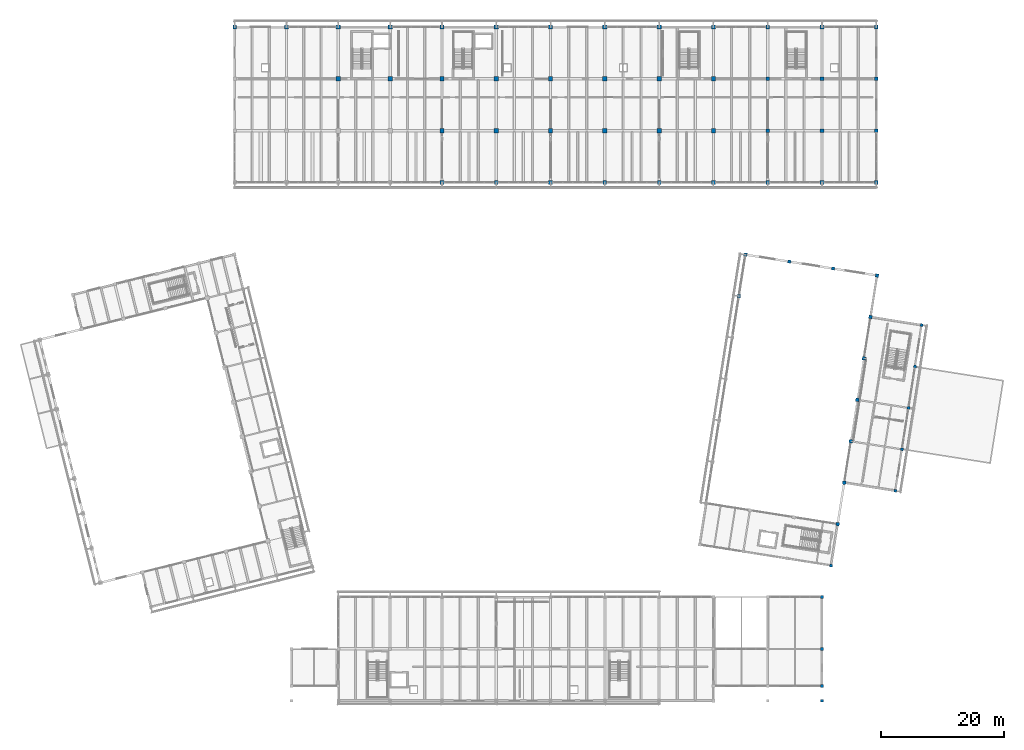
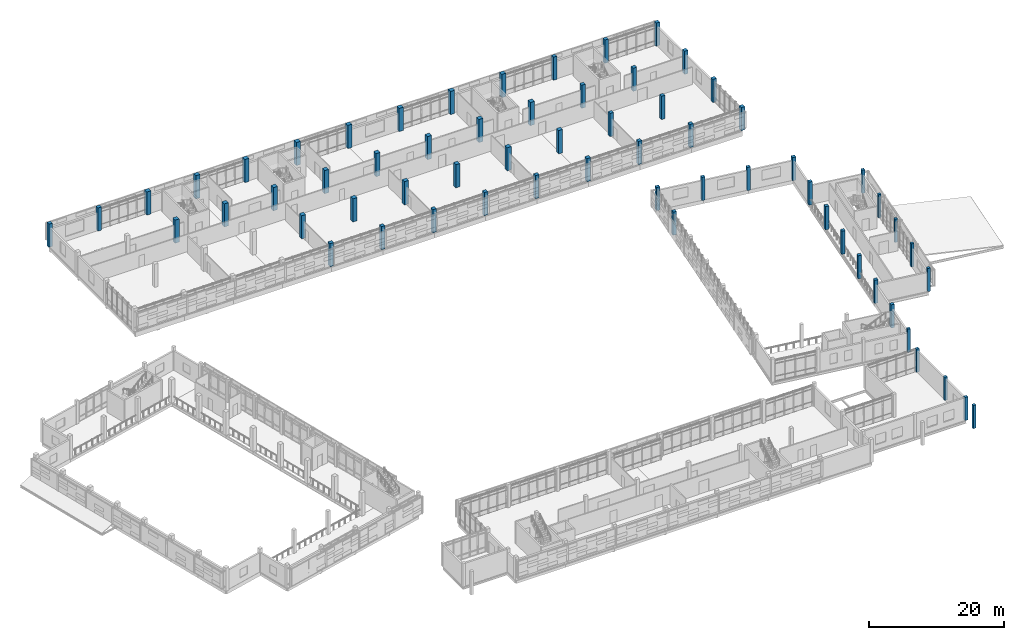
# One storey, part 2 of 137: 63 columns.
"""IFC4 building model written with IfcOpenShell, lengths in metres."""

from ifc_helpers import new_model, si_unit, direction, frame, origin, origin_2d, place, context, subcontext, project, spatial, rectangle, extrude, material, material_profile, profile_set, type_object, element, save


model = new_model("IFC4")

# Units and contexts
model_context = context("Model", 3, precision=1e-05, world=origin(), true_north=direction((0.0, 1.0)))
body_context = subcontext(model_context, "Body", "Model", "MODEL_VIEW")
ifc_project = project(units=[si_unit("LENGTHUNIT", "METRE"), si_unit("AREAUNIT", "SQUARE_METRE"), si_unit("VOLUMEUNIT", "CUBIC_METRE"), si_unit("PLANEANGLEUNIT", "RADIAN"), si_unit("MASSUNIT", "GRAM", prefix="KILO")], contexts=[model_context])

# Site, building, storey
site_placement = place(None, origin())
site = spatial("IfcSite", under=ifc_project, at=site_placement, CompositionType="ELEMENT")
building_placement = place(site_placement, origin())
building = spatial("IfcBuilding", under=site, at=building_placement, Name="Cinderway Yard Community Centre", CompositionType="ELEMENT")
storey_placement = place(building_placement, frame((0.0, 0.0, 4.800048828125)))
storey = spatial("IfcBuildingStorey", under=building, at=storey_placement, Name="L01", CompositionType="ELEMENT", Elevation=4.800048828125)

# Columns
ifc_material = material(Name="Concrete C40/50", Category="concrete")
ifc_material_profile_1 = material_profile(ifc_material, rectangle(XDim=0.449951171875, YDim=0.449951171875, at=origin_2d()), Name="Concrete C40/50")
ifc_profile_set_1 = profile_set([ifc_material_profile_1], Name="Concrete C40/50")
column_type_1 = type_object("IfcColumnType", Name="STR-COL-RC450", PredefinedType="COLUMN", material=ifc_profile_set_1)
for number, where, z_axis, x_axis, name in (
    (1, (148.694091796875, 40.02294921875, 0.0), (0.0, 0.0, 1.0), (0.987688340595, -0.15643446504, 0.0), "Column V2-CE-01 L01"),
    (2, (149.758056640625, 46.739990234375, 0.0), (0.0, 0.0, 1.0), (0.987688340595, -0.15643446504, 0.0), "Column V2-CE-02 L01"),
    (3, (150.822021484375, 53.4560546875, 0.0), (0.0, 0.0, 1.0), (0.987688340595, -0.15643446504, 0.0), "Column V2-CE-03 L01"),
    (4, (151.885986328125, 60.172119140625, 0.0), (0.0, 0.0, 1.0), (0.987688340595, -0.15643446504, 0.0), "Column V2-CE-04 L01"),
    (5, (152.948974609375, 66.887939453125, 0.0), (0.0, 0.0, 1.0), (0.987688340595, -0.15643446504, 0.0), "Column V2-CE-05 L01"),
    (6, (138.27001953125, 27.905029296875, 0.0), (0.0, 0.0, 1.0), (0.987688340595, -0.15643446504, 0.0), "Column V2-CS-216 L01"),
    (7, (136.800048828125, 6.0, 0.0), (0.0, 0.0, 1.0), (1.0, 0.0, 0.0), "Column V5-C-09 L01"),
    (8, (136.800048828125, 8.39990234375, 0.0), (0.0, 0.0, 1.0), (1.0, 0.0, 0.0), "Column V5-C-10 L01"),
    (9, (136.800048828125, 14.39990234375, 0.0), (0.0, 0.0, 1.0), (1.0, 0.0, 0.0), "Column V5-C-11 L01"),
    (10, (136.800048828125, 22.800048828125, 0.0), (0.0, 0.0, 1.0), (1.0, 0.0, 0.0), "Column V5-C-12 L01"),
):
    element("IfcColumn", number, at=place(storey_placement, frame(where, z_axis=z_axis, x_axis=x_axis)), inside=storey, type_object=column_type_1, Name=name, PredefinedType="COLUMN", context=body_context, shape_type="SweptSolid", body=[
        extrude(rectangle(XDim=0.449951171875, YDim=0.449951171875, at=origin_2d()), origin(), (0.0, 0.0, 1.0), 4.199951171875),
    ])
ifc_material_profile_2 = material_profile(ifc_material, rectangle(XDim=0.5, YDim=0.5, at=origin_2d()), Name="Concrete C40/50")
ifc_profile_set_2 = profile_set([ifc_material_profile_2], Name="Concrete C40/50")
column_type_2 = type_object("IfcColumnType", Name="STR-COL-RC500", PredefinedType="COLUMN", material=ifc_profile_set_2)
for number, where, z_axis, x_axis, name in (
    (11, (131.493896484375, 77.1708984375, 0.0), (0.0, 0.0, 1.0), (0.987688340595, -0.15643446504, 0.0), "Column V2-GN-072 L01"),
    (12, (138.60498046875, 76.044921875, 0.0), (0.0, 0.0, 1.0), (0.987688340595, -0.15643446504, 0.0), "Column V2-GN-144 L01"),
):
    element("IfcColumn", number, at=place(storey_placement, frame(where, z_axis=z_axis, x_axis=x_axis)), inside=storey, type_object=column_type_2, Name=name, PredefinedType="COLUMN", context=body_context, shape_type="SweptSolid", body=[
        extrude(rectangle(XDim=0.5, YDim=0.5, at=origin_2d()), origin(), (0.0, 0.0, 1.0), 4.199951171875),
    ])
ifc_material_profile_3 = material_profile(ifc_material, rectangle(XDim=0.550048828125, YDim=0.550048828125, at=origin_2d()), Name="Concrete C40/50")
ifc_profile_set_3 = profile_set([ifc_material_profile_3], Name="Concrete C40/50")
column_type_3 = type_object("IfcColumnType", Name="STR-COL-RC550", PredefinedType="COLUMN", material=ifc_profile_set_3)
for number, where, z_axis, x_axis, name in (
    (13, (123.319091796875, 71.5810546875, 0.0), (0.0, 0.0, 1.0), (0.987688340595, -0.15643446504, 0.0), "Column V2-C-W06 L01"),
    (14, (124.383056640625, 78.298095703125, 0.0), (0.0, 0.0, 1.0), (0.987688340595, -0.15643446504, 0.0), "Column V2-C-W07 L01"),
    (15, (139.333984375, 34.62109375, 0.0), (0.0, 0.0, 1.0), (0.987688340595, -0.15643446504, 0.0), "Column V2-C-E01 L01"),
    (16, (140.39794921875, 41.3369140625, 0.0), (0.0, 0.0, 1.0), (0.987688340595, -0.15643446504, 0.0), "Column V2-C-E02 L01"),
    (17, (141.4619140625, 48.053955078125, 0.0), (0.0, 0.0, 1.0), (0.987688340595, -0.15643446504, 0.0), "Column V2-C-E03 L01"),
    (18, (142.52490234375, 54.77001953125, 0.0), (0.0, 0.0, 1.0), (0.987688340595, -0.15643446504, 0.0), "Column V2-C-E04 L01"),
    (19, (143.589111328125, 61.486083984375, 0.0), (0.0, 0.0, 1.0), (0.987688340595, -0.15643446504, 0.0), "Column V2-C-E05 L01"),
    (20, (144.653076171875, 68.201904296875, 0.0), (0.0, 0.0, 1.0), (0.987688340595, -0.15643446504, 0.0), "Column V2-C-E06 L01"),
    (21, (145.717041015625, 74.9189453125, 0.0), (0.0, 0.0, 1.0), (0.987688340595, -0.15643446504, 0.0), "Column V2-C-E07 L01"),
):
    element("IfcColumn", number, at=place(storey_placement, frame(where, z_axis=z_axis, x_axis=x_axis)), inside=storey, type_object=column_type_3, Name=name, PredefinedType="COLUMN", context=body_context, shape_type="SweptSolid", body=[
        extrude(rectangle(XDim=0.550048828125, YDim=0.550048828125, at=origin_2d()), origin(), (0.0, 0.0, 1.0), 4.199951171875),
    ])
ifc_material_profile_4 = material_profile(ifc_material, rectangle(XDim=0.60009765625, YDim=0.60009765625, at=origin_2d()), Name="Concrete C40/50")
ifc_profile_set_4 = profile_set([ifc_material_profile_4], Name="Concrete C40/50")
column_type_4 = type_object("IfcColumnType", Name="STR-COL-RC600", PredefinedType="COLUMN", material=ifc_profile_set_4)
for number, where, z_axis, x_axis, name in (
    (22, (41.60009765625, 115.199951171875, 0.0), (0.0, 0.0, 1.0), (1.0, 0.0, 0.0), "Column V4-C-01-4 L01"),
    (23, (50.0, 115.199951171875, 0.0), (0.0, 0.0, 1.0), (1.0, 0.0, 0.0), "Column V4-C-02-4 L01"),
    (24, (75.199951171875, 90.0, 0.0), (0.0, 0.0, 1.0), (1.0, 0.0, 0.0), "Column V4-C-05-1 L01"),
    (25, (84.0, 90.0, 0.0), (0.0, 0.0, 1.0), (1.0, 0.0, 0.0), "Column V4-C-06-1 L01"),
    (26, (92.800048828125, 90.0, 0.0), (0.0, 0.0, 1.0), (1.0, 0.0, 0.0), "Column V4-C-07-1 L01"),
    (27, (101.60009765625, 90.0, 0.0), (0.0, 0.0, 1.0), (1.0, 0.0, 0.0), "Column V4-C-08-1 L01"),
    (28, (110.39990234375, 90.0, 0.0), (0.0, 0.0, 1.0), (1.0, 0.0, 0.0), "Column V4-C-09-1 L01"),
    (29, (119.199951171875, 90.0, 0.0), (0.0, 0.0, 1.0), (1.0, 0.0, 0.0), "Column V4-C-10-1 L01"),
    (30, (128.0, 90.0, 0.0), (0.0, 0.0, 1.0), (1.0, 0.0, 0.0), "Column V4-C-11-1 L01"),
    (31, (128.0, 98.39990234375, 0.0), (0.0, 0.0, 1.0), (1.0, 0.0, 0.0), "Column V4-C-11-2 L01"),
    (32, (128.0, 106.800048828125, 0.0), (0.0, 0.0, 1.0), (1.0, 0.0, 0.0), "Column V4-C-11-3 L01"),
    (33, (128.0, 115.199951171875, 0.0), (0.0, 0.0, 1.0), (1.0, 0.0, 0.0), "Column V4-C-11-4 L01"),
    (34, (136.800048828125, 90.0, 0.0), (0.0, 0.0, 1.0), (1.0, 0.0, 0.0), "Column V4-C-12-1 L01"),
    (35, (136.800048828125, 98.39990234375, 0.0), (0.0, 0.0, 1.0), (1.0, 0.0, 0.0), "Column V4-C-12-2 L01"),
    (36, (136.800048828125, 106.800048828125, 0.0), (0.0, 0.0, 1.0), (1.0, 0.0, 0.0), "Column V4-C-12-3 L01"),
    (37, (136.800048828125, 115.199951171875, 0.0), (0.0, 0.0, 1.0), (1.0, 0.0, 0.0), "Column V4-C-12-4 L01"),
    (38, (145.60009765625, 90.0, 0.0), (0.0, 0.0, 1.0), (1.0, 0.0, 0.0), "Column V4-C-13-1 L01"),
    (39, (145.60009765625, 98.39990234375, 0.0), (0.0, 0.0, 1.0), (1.0, 0.0, 0.0), "Column V4-C-13-2 L01"),
    (40, (145.60009765625, 106.800048828125, 0.0), (0.0, 0.0, 1.0), (1.0, 0.0, 0.0), "Column V4-C-13-3 L01"),
    (41, (145.60009765625, 115.199951171875, 0.0), (0.0, 0.0, 1.0), (1.0, 0.0, 0.0), "Column V4-C-13-4 L01"),
):
    element("IfcColumn", number, at=place(storey_placement, frame(where, z_axis=z_axis, x_axis=x_axis)), inside=storey, type_object=column_type_4, Name=name, PredefinedType="COLUMN", context=body_context, shape_type="SweptSolid", body=[
        extrude(rectangle(XDim=0.60009765625, YDim=0.60009765625, at=origin_2d()), origin(), (0.0, 0.0, 1.0), 4.199951171875),
    ])
ifc_material_profile_5 = material_profile(ifc_material, rectangle(XDim=0.699951171875, YDim=0.699951171875, at=origin_2d()), Name="Concrete C40/50")
ifc_profile_set_5 = profile_set([ifc_material_profile_5], Name="Concrete C40/50")
column_type_5 = type_object("IfcColumnType", Name="STR-COL-RC700", PredefinedType="COLUMN", material=ifc_profile_set_5)
for number, where, z_axis, x_axis, name in (
    (42, (58.39990234375, 106.800048828125, 0.0), (0.0, 0.0, 1.0), (1.0, 0.0, 0.0), "Column V4-C-03-3 L01"),
    (43, (58.39990234375, 115.199951171875, 0.0), (0.0, 0.0, 1.0), (1.0, 0.0, 0.0), "Column V4-C-03-4 L01"),
    (44, (66.800048828125, 106.800048828125, 0.0), (0.0, 0.0, 1.0), (1.0, 0.0, 0.0), "Column V4-C-04-3 L01"),
    (45, (66.800048828125, 115.199951171875, 0.0), (0.0, 0.0, 1.0), (1.0, 0.0, 0.0), "Column V4-C-04-4 L01"),
    (46, (75.199951171875, 98.39990234375, 0.0), (0.0, 0.0, 1.0), (1.0, 0.0, 0.0), "Column V4-C-05-2 L01"),
    (47, (75.199951171875, 106.800048828125, 0.0), (0.0, 0.0, 1.0), (1.0, 0.0, 0.0), "Column V4-C-05-3 L01"),
    (48, (75.199951171875, 115.199951171875, 0.0), (0.0, 0.0, 1.0), (1.0, 0.0, 0.0), "Column V4-C-05-4 L01"),
    (49, (84.0, 98.39990234375, 0.0), (0.0, 0.0, 1.0), (1.0, 0.0, 0.0), "Column V4-C-06-2 L01"),
    (50, (84.0, 106.800048828125, 0.0), (0.0, 0.0, 1.0), (1.0, 0.0, 0.0), "Column V4-C-06-3 L01"),
    (51, (84.0, 115.199951171875, 0.0), (0.0, 0.0, 1.0), (1.0, 0.0, 0.0), "Column V4-C-06-4 L01"),
    (52, (92.800048828125, 98.39990234375, 0.0), (0.0, 0.0, 1.0), (1.0, 0.0, 0.0), "Column V4-C-07-2 L01"),
    (53, (92.800048828125, 106.800048828125, 0.0), (0.0, 0.0, 1.0), (1.0, 0.0, 0.0), "Column V4-C-07-3 L01"),
    (54, (92.800048828125, 115.199951171875, 0.0), (0.0, 0.0, 1.0), (1.0, 0.0, 0.0), "Column V4-C-07-4 L01"),
    (55, (101.60009765625, 98.39990234375, 0.0), (0.0, 0.0, 1.0), (1.0, 0.0, 0.0), "Column V4-C-08-2 L01"),
    (56, (101.60009765625, 106.800048828125, 0.0), (0.0, 0.0, 1.0), (1.0, 0.0, 0.0), "Column V4-C-08-3 L01"),
    (57, (101.60009765625, 115.199951171875, 0.0), (0.0, 0.0, 1.0), (1.0, 0.0, 0.0), "Column V4-C-08-4 L01"),
    (58, (110.39990234375, 98.39990234375, 0.0), (0.0, 0.0, 1.0), (1.0, 0.0, 0.0), "Column V4-C-09-2 L01"),
    (59, (110.39990234375, 106.800048828125, 0.0), (0.0, 0.0, 1.0), (1.0, 0.0, 0.0), "Column V4-C-09-3 L01"),
    (60, (110.39990234375, 115.199951171875, 0.0), (0.0, 0.0, 1.0), (1.0, 0.0, 0.0), "Column V4-C-09-4 L01"),
    (61, (119.199951171875, 98.39990234375, 0.0), (0.0, 0.0, 1.0), (1.0, 0.0, 0.0), "Column V4-C-10-2 L01"),
    (62, (119.199951171875, 106.800048828125, 0.0), (0.0, 0.0, 1.0), (1.0, 0.0, 0.0), "Column V4-C-10-3 L01"),
    (63, (119.199951171875, 115.199951171875, 0.0), (0.0, 0.0, 1.0), (1.0, 0.0, 0.0), "Column V4-C-10-4 L01"),
):
    element("IfcColumn", number, at=place(storey_placement, frame(where, z_axis=z_axis, x_axis=x_axis)), inside=storey, type_object=column_type_5, Name=name, PredefinedType="COLUMN", context=body_context, shape_type="SweptSolid", body=[
        extrude(rectangle(XDim=0.699951171875, YDim=0.699951171875, at=origin_2d()), origin(), (0.0, 0.0, 1.0), 4.199951171875),
    ])

save(model, "model.ifc")
